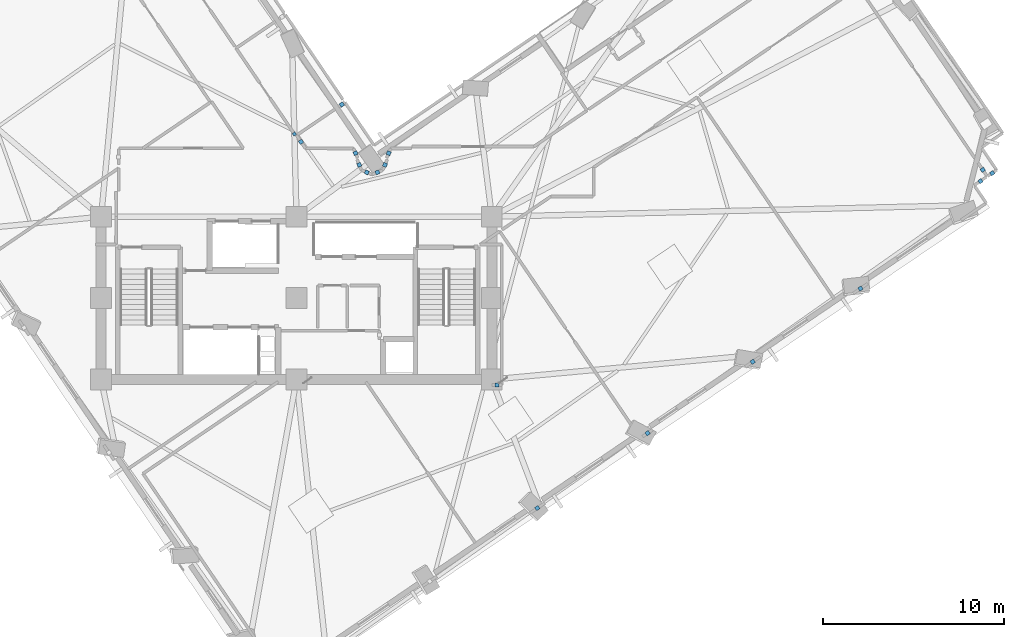
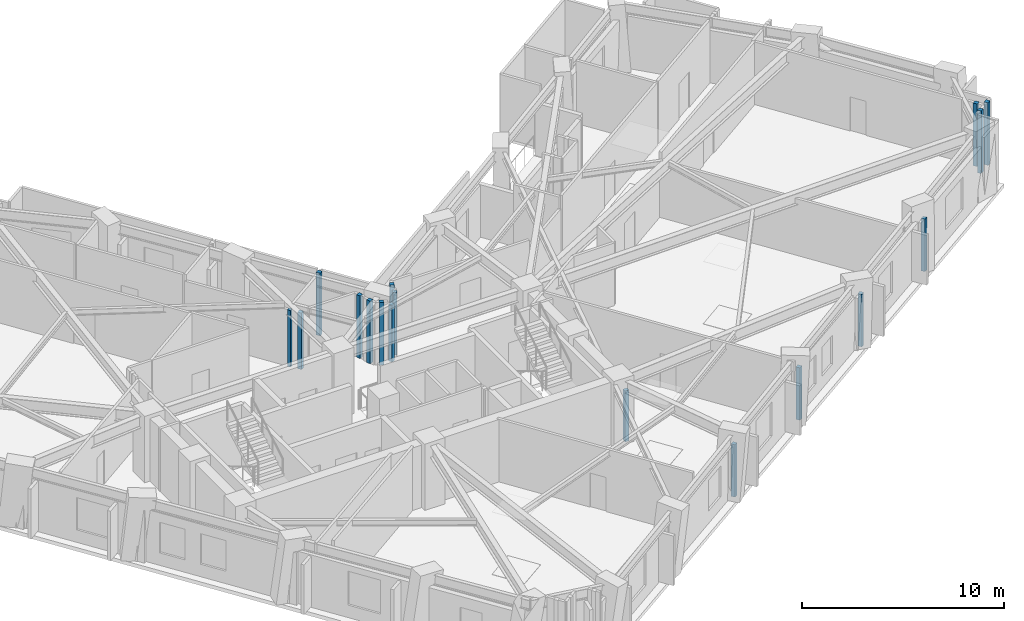
# One storey, part 4 of 16: 17 plates.
"""IFC4 building model written with IfcOpenShell, lengths in metres."""

from ifc_helpers import new_model, si_unit, direction, frame, origin, origin_2d, place, context, subcontext, project, spatial, rectangle, extrude, material, layer, layer_set, type_object, element, save


model = new_model("IFC4")

# Units and contexts
model_context = context("Model", 3, precision=1e-05, world=origin(), true_north=direction((0.0, 1.0)))
body_context = subcontext(model_context, "Body", "Model", "MODEL_VIEW")
ifc_project = project(units=[si_unit("LENGTHUNIT", "METRE"), si_unit("AREAUNIT", "SQUARE_METRE"), si_unit("VOLUMEUNIT", "CUBIC_METRE"), si_unit("PLANEANGLEUNIT", "RADIAN"), si_unit("MASSUNIT", "GRAM", prefix="KILO")], contexts=[model_context])

# Site, building, storey
site_placement = place(None, origin())
site = spatial("IfcSite", under=ifc_project, at=site_placement, CompositionType="ELEMENT")
building_placement = place(site_placement, origin())
building = spatial("IfcBuilding", under=site, at=building_placement, Name="Gaonmaruhae Medical Tower", CompositionType="ELEMENT")
storey_placement = place(building_placement, frame((0.0, 0.0, 169.800048828125)))
storey = spatial("IfcBuildingStorey", under=building, at=storey_placement, Name="L40", CompositionType="ELEMENT", Elevation=169.800048828125)

# Plates
ifc_material = material(Name="Anodised aluminium 6063-T6", Category="aluminium")
ifc_layer = layer(ifc_material, 0.011962890625)
ifc_layer_set = layer_set([ifc_layer], Name="Anodised aluminium 6063-T6")
plate_type = type_object("IfcPlateType", Name="PP-01 Interior Partition Corner Stiffener Plate", PredefinedType="SHEET", material=ifc_layer_set)
plate_1_placement = place(storey_placement, frame((24.68310546875, 21.375732421875, 0.0), z_axis=(0.0, 0.0, 1.0), x_axis=(-0.562141117599, 0.827041331437, 0.0)))
element("IfcPlate", 1, at=plate_1_placement, inside=storey, type_object=plate_type, Name="L40 Partition End Jamb Post Plate PLT-L40-ENDP-PW087-0", PredefinedType="SHEET", context=body_context, shape_type="SweptSolid", body=[
    extrude(rectangle(XDim=0.179931640625, YDim=0.179931640625, at=origin_2d()), origin(), (0.0, 0.0, 1.0), 3.4150390625),
])
plate_2_placement = place(storey_placement, frame((38.117919921875, 0.6904296875, 0.0), z_axis=(0.0, 0.0, 1.0), x_axis=(-0.82683524041, -0.562444206314, 0.0)))
element("IfcPlate", 2, at=plate_2_placement, inside=storey, type_object=plate_type, Name="L40 Partition Corner Stiffener Plate PLT-L40-JGP-PW019", PredefinedType="SHEET", context=body_context, shape_type="SweptSolid", body=[
    extrude(rectangle(XDim=0.219970703125, YDim=0.219970703125, at=origin_2d()), origin(), (0.0, 0.0, 1.0), 3.1650390625),
])
plate_3_placement = place(storey_placement, frame((35.875, 7.5, 0.0), z_axis=(0.0, 0.0, 1.0), x_axis=(1.0, 0.0, 0.0)))
element("IfcPlate", 3, at=plate_3_placement, inside=storey, type_object=plate_type, Name="L40 Partition Corner Stiffener Plate PLT-L40-JGP-PW020", PredefinedType="SHEET", context=body_context, shape_type="SweptSolid", body=[
    extrude(rectangle(XDim=0.219970703125, YDim=0.219970703125, at=origin_2d()), origin(), (0.0, 0.0, 1.0), 3.06494140625),
])
for number, where, z_axis, x_axis, name in (
    (4, (50.027099609375, 8.783935546875, 0.0), (0.0, 0.0, 1.0), (-0.827041331437, -0.562141117599, 0.0), "L40 Partition Corner Stiffener Plate PLT-L40-JGP-PW025"),
    (5, (44.21142578125, 4.83154296875, 0.0), (0.0, 0.0, 1.0), (-0.827100194182, -0.562054506951, 0.0), "L40 Partition Corner Stiffener Plate PLT-L40-JGP-PW026"),
):
    element("IfcPlate", number, at=place(storey_placement, frame(where, z_axis=z_axis, x_axis=x_axis)), inside=storey, type_object=plate_type, Name=name, PredefinedType="SHEET", context=body_context, shape_type="SweptSolid", body=[
        extrude(rectangle(XDim=0.219970703125, YDim=0.219970703125, at=origin_2d()), origin(), (0.0, 0.0, 1.0), 3.1650390625),
    ])
for number, where, z_axis, x_axis, name in (
    (6, (62.742919921875, 19.39404296875, 0.0), (0.0, 0.0, 1.0), (0.561881267166, -0.827217892461, 0.0), "L40 Partition Corner Stiffener Plate PLT-L40-JGP-PW031"),
    (7, (62.616455078125, 18.76611328125, 0.0), (0.0, 0.0, 1.0), (-0.82749238066, -0.561476945164, 0.0), "L40 Partition Corner Stiffener Plate PLT-L40-JGP-PW032"),
):
    element("IfcPlate", number, at=place(storey_placement, frame(where, z_axis=z_axis, x_axis=x_axis)), inside=storey, type_object=plate_type, Name=name, PredefinedType="SHEET", context=body_context, shape_type="SweptSolid", body=[
        extrude(rectangle(XDim=0.219970703125, YDim=0.219970703125, at=origin_2d()), origin(), (0.0, 0.0, 1.0), 3.780029296875),
    ])
plate_4_placement = place(storey_placement, frame((55.9814453125, 12.83056640625, 0.0), z_axis=(0.0, 0.0, 1.0), x_axis=(-0.827119813081, -0.562025635366, 0.0)))
element("IfcPlate", 8, at=plate_4_placement, inside=storey, type_object=plate_type, Name="L40 Partition Corner Stiffener Plate PLT-L40-JGP-PW035", PredefinedType="SHEET", context=body_context, shape_type="SweptSolid", body=[
    extrude(rectangle(XDim=0.219970703125, YDim=0.219970703125, at=origin_2d()), origin(), (0.0, 0.0, 1.0), 3.1650390625),
])
for number, where, z_axis, x_axis, name in (
    (9, (29.8984375, 20.31396484375, 0.0), (0.0, 0.0, 1.0), (-0.389863399696, -0.920872699985, 0.0), "L40 Partition Corner Stiffener Plate PLT-L40-JGP-PW055"),
    (10, (29.693115234375, 19.6689453125, 0.0), (0.0, 0.0, 1.0), (-0.382167381036, -0.924093119157, 0.0), "L40 Partition Corner Stiffener Plate PLT-L40-JGP-PW056"),
):
    element("IfcPlate", number, at=place(storey_placement, frame(where, z_axis=z_axis, x_axis=x_axis)), inside=storey, type_object=plate_type, Name=name, PredefinedType="SHEET", context=body_context, shape_type="SweptSolid", body=[
        extrude(rectangle(XDim=0.219970703125, YDim=0.219970703125, at=origin_2d()), origin(), (0.0, 0.0, 1.0), 3.780029296875),
    ])
plate_5_placement = place(storey_placement, frame((29.276611328125, 19.251953125, 0.0), z_axis=(0.0, 0.0, 1.0), x_axis=(-0.923866173777, -0.382715681611, 0.0)))
element("IfcPlate", 11, at=plate_5_placement, inside=storey, type_object=plate_type, Name="L40 Partition Corner Stiffener Plate PLT-L40-JGP-PW057", PredefinedType="SHEET", context=body_context, shape_type="SweptSolid", body=[
    extrude(rectangle(XDim=0.219970703125, YDim=0.219970703125, at=origin_2d()), origin(), (0.0, 0.0, 1.0), 3.4150390625),
])
for number, where, z_axis, x_axis, name in (
    (12, (28.68701171875, 19.251953125, 0.0), (0.0, 0.0, 1.0), (-0.924093119157, 0.382167381036, 0.0), "L40 Partition Corner Stiffener Plate PLT-L40-JGP-PW058"),
    (13, (28.27001953125, 19.6689453125, 0.0), (0.0, 0.0, 1.0), (-0.382167381036, 0.924093119157, 0.0), "L40 Partition Corner Stiffener Plate PLT-L40-JGP-PW059"),
    (14, (28.06298828125, 20.314453125, 0.0), (0.0, 0.0, 1.0), (-0.393701267024, 0.919238441507, 0.0), "L40 Partition Corner Stiffener Plate PLT-L40-JGP-PW060"),
):
    element("IfcPlate", number, at=place(storey_placement, frame(where, z_axis=z_axis, x_axis=x_axis)), inside=storey, type_object=plate_type, Name=name, PredefinedType="SHEET", context=body_context, shape_type="SweptSolid", body=[
        extrude(rectangle(XDim=0.219970703125, YDim=0.219970703125, at=origin_2d()), origin(), (0.0, 0.0, 1.0), 3.780029296875),
    ])
plate_6_placement = place(storey_placement, frame((25.051025390625, 20.94091796875, 0.0), z_axis=(0.0, 0.0, 1.0), x_axis=(-0.561563596884, 0.827433578394, 0.0)))
element("IfcPlate", 15, at=plate_6_placement, inside=storey, type_object=plate_type, Name="L40 Partition Corner Stiffener Plate PLT-L40-JGP-PW062", PredefinedType="SHEET", context=body_context, shape_type="SweptSolid", body=[
    extrude(rectangle(XDim=0.219970703125, YDim=0.219970703125, at=origin_2d()), origin(), (0.0, 0.0, 1.0), 3.4150390625),
])
for number, where, z_axis, x_axis, name in (
    (16, (27.304931640625, 23.0009765625, 0.0), (0.0, 0.0, 1.0), (0.827776463672, 0.56105804173, 0.0), "L40 Partition Corner Stiffener Plate PLT-L40-JGP-PW064"),
    (17, (63.265380859375, 19.20751953125, 0.0), (0.0, 0.0, 1.0), (-0.827776463672, -0.56105804173, 0.0), "L40 Partition Corner Stiffener Plate PLT-L40-JGP-PW110"),
):
    element("IfcPlate", number, at=place(storey_placement, frame(where, z_axis=z_axis, x_axis=x_axis)), inside=storey, type_object=plate_type, Name=name, PredefinedType="SHEET", context=body_context, shape_type="SweptSolid", body=[
        extrude(rectangle(XDim=0.219970703125, YDim=0.219970703125, at=origin_2d()), origin(), (0.0, 0.0, 1.0), 3.780029296875),
    ])

save(model, "model.ifc")
